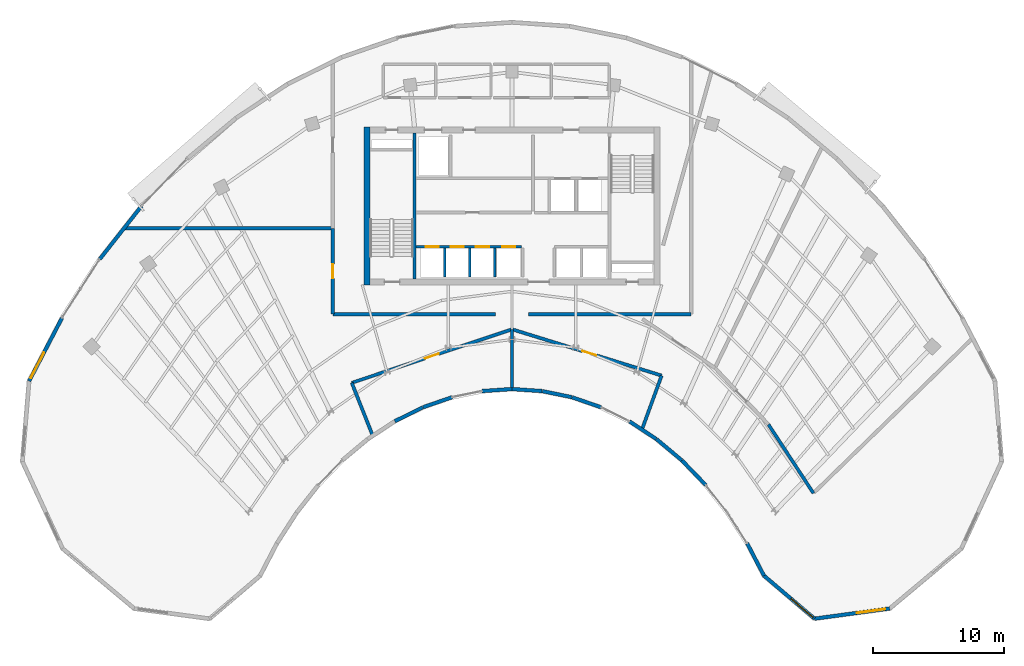
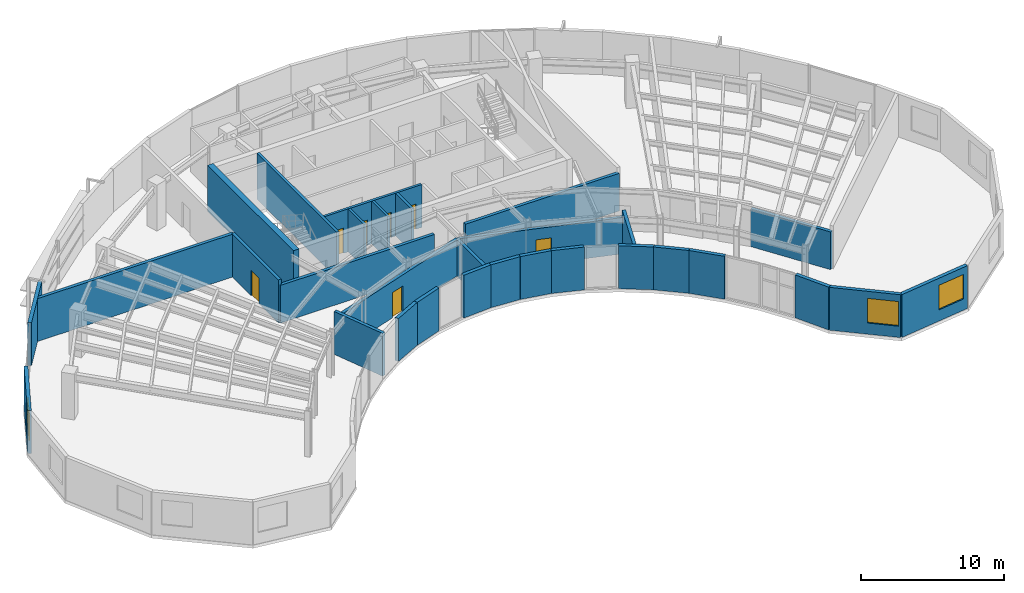
# One storey, part 8 of 13: 30 walls, 7 doors, 3 windows, 10 openings.
"""IFC4 building model written with IfcOpenShell, lengths in metres."""

from ifc_helpers import new_model, si_unit, direction, frame, frame_2d, origin, place, context, subcontext, project, spatial, rectangle, extrude, source, transform, mapped, material, layer, layer_set, type_object, type_shapes, element, fill, save


model = new_model("IFC4")

# Units and contexts
model_context = context("Model", 3, precision=1e-05, world=origin(), true_north=direction((0.0, 1.0)))
body_context = subcontext(model_context, "Body", "Model", "MODEL_VIEW")
ifc_project = project(units=[si_unit("LENGTHUNIT", "METRE"), si_unit("AREAUNIT", "SQUARE_METRE"), si_unit("VOLUMEUNIT", "CUBIC_METRE"), si_unit("PLANEANGLEUNIT", "RADIAN"), si_unit("MASSUNIT", "GRAM", prefix="KILO")], contexts=[model_context])

# Site, building, storey
site_placement = place(None, origin())
site = spatial("IfcSite", under=ifc_project, at=site_placement, CompositionType="ELEMENT")
building_placement = place(site_placement, origin())
building = spatial("IfcBuilding", under=site, at=building_placement, Name="Breltana Convention Tower", CompositionType="ELEMENT")
storey_placement = place(building_placement, frame((0.0, 0.0, 227.39990234375)))
storey = spatial("IfcBuildingStorey", under=building, at=storey_placement, Name="L55", CompositionType="ELEMENT", Elevation=227.39990234375)

# Walls
ifc_material_1 = material(Name="Concrete C60/75", Category="concrete")
ifc_layer_1 = layer(ifc_material_1, 0.449951171875, Name="Concrete C60/75")
ifc_layer_set_1 = layer_set([ifc_layer_1], Name="Concrete C60/75")
wall_type_1 = type_object("IfcWallType", Name="SW-CORE-450", PredefinedType="SHEAR", material=ifc_layer_set_1)
shared_shape_1 = source(origin(), body_context, "Body", "SweptSolid", [
    extrude(rectangle(XDim=12.0, YDim=0.449951171875, at=frame_2d((6.0, 0.0))), origin(), (0.0, 0.0, 1.0), 3.900146484375),
])
wall_1_placement = place(storey_placement, frame((36.97509765625, 60.199951171875, 0.0), z_axis=(0.0, 0.0, 1.0), x_axis=(0.0, 1.0, 0.0)))
element("IfcWall", 1, at=wall_1_placement, inside=storey, type_object=wall_type_1, Name="L55 West Core Shear Wall", PredefinedType="SHEAR", context=body_context, shape_type="MappedRepresentation", body=[
    mapped(shared_shape_1, transform((0.0, 0.0, 0.0), scale=1.0)),
])
ifc_material_2 = material(Name="Concrete C50/60", Category="concrete")
ifc_layer_2 = layer(ifc_material_2, 0.39990234375, Name="Concrete C50/60")
ifc_layer_set_2 = layer_set([ifc_layer_2], Name="Concrete C50/60")
wall_type_2 = type_object("IfcWallType", Name="SW-CORE-400", PredefinedType="SHEAR", material=ifc_layer_set_2)
shared_shape_2 = source(origin(), body_context, "Body", "SweptSolid", [
    extrude(rectangle(XDim=11.10009765625, YDim=0.219970703125, at=frame_2d((5.550048828125, 0.0))), origin(), (0.0, 0.0, 1.0), 3.900146484375),
])
wall_2_placement = place(storey_placement, frame((40.580078125, 60.64990234375, 0.0), z_axis=(0.0, 0.0, 1.0), x_axis=(0.0, 1.0, 0.0)))
element("IfcWall", 2, at=wall_2_placement, inside=storey, type_object=wall_type_2, Name="L55 Core West Stair Spine Wall", PredefinedType="SHEAR", context=body_context, shape_type="MappedRepresentation", body=[
    mapped(shared_shape_2, transform((0.0, 0.0, 0.0), scale=1.0)),
])

# Wall, opening, window
ifc_material_3 = material(Name="Limestone Buff Insulated Wall", Category="masonry")
ifc_layer_3 = layer(ifc_material_3, 0.280029296875, Name="Limestone Buff Insulated Wall")
ifc_layer_set_3 = layer_set([ifc_layer_3], Name="Limestone Buff Insulated Wall")
wall_type_3 = type_object("IfcWallType", Name="WL-EXT-NOSE-280", PredefinedType="SOLIDWALL", material=ifc_layer_set_3)
shared_shape_3 = source(origin(), body_context, "Body", "SweptSolid", [
    extrude(rectangle(XDim=5.771240234375, YDim=0.280029296875, at=frame_2d((2.8857421875, 0.0))), origin(), (0.0, 0.0, 1.0), 3.650146484375),
])
wall_3_placement = place(storey_placement, frame((76.74951171875, 35.559814453125, 0.0), z_axis=(0.0, 0.0, 1.0), x_axis=(-0.990933615537, -0.134352408237, 0.0)))
wall_3 = element("IfcWall", 3, at=wall_3_placement, inside=storey, type_object=wall_type_3, Name="L55 curved limestone nose wall E4", PredefinedType="SOLIDWALL", context=body_context, shape_type="MappedRepresentation", body=[
    mapped(shared_shape_3, transform((0.0, 0.0, 0.0), scale=1.0)),
])
opening_1_placement = place(wall_3_placement, frame((0.343017578125, 0.0, 0.949951171875)))
opening_1 = element("IfcOpeningElement", 4, at=opening_1_placement, cuts=wall_3, Name="Opening W-03", PredefinedType="OPENING", context=body_context, shape_type="SweptSolid", body=[
    extrude(rectangle(XDim=2.199951171875, YDim=2.10009765625, at=frame_2d((1.10009765625, 1.050048828125))), frame((0.0, 0.14990234375, 0.0), z_axis=(0.0, -1.0, 0.0), x_axis=(1.0, 0.0, 0.0)), (0.0, 0.0, 1.0), 0.300048828125),
])
ifc_material_4 = material(Name="Glass Low-E Insulated Window", Category="glass")
window_type = type_object("IfcWindowType", Name="WN-NOSE-2200X2100", PartitioningType="TRIPLE_PANEL_VERTICAL", PredefinedType="WINDOW", material=ifc_material_4)
shared_shape_4 = source(origin(), body_context, "Body", "SweptSolid", [
    extrude(rectangle(XDim=2.199951171875, YDim=2.10009765625, at=frame_2d((1.10009765625, 1.050048828125))), frame((0.0, 0.030029296875, 0.0), z_axis=(0.0, -1.0, 0.0), x_axis=(1.0, 0.0, 0.0)), (0.0, 0.0, 1.0), 0.06005859375),
])
type_shapes(window_type, [shared_shape_4])
window_1_placement = place(opening_1_placement, origin())
window_1 = element("IfcWindow", 5, at=window_1_placement, inside=storey, type_object=window_type, Name="L55 nose window E4", OverallHeight=2.10009765625, OverallWidth=2.199951171875, PartitioningType="TRIPLE_PANEL_VERTICAL", PredefinedType="WINDOW", context=body_context, shape_type="MappedRepresentation", body=[
    mapped(shared_shape_4, transform((0.0, 0.0, 0.0), scale=1.0)),
])
fill(opening_1, window_1)

shared_shape_5 = source(origin(), body_context, "Body", "SweptSolid", [
    extrude(rectangle(XDim=5.051025390625, YDim=0.280029296875, at=frame_2d((2.525390625, 0.0))), origin(), (0.0, 0.0, 1.0), 3.650146484375),
])
wall_4_placement = place(storey_placement, frame((71.030517578125, 34.784423828125, 0.0), z_axis=(0.0, 0.0, 1.0), x_axis=(-0.761904731537, 0.647689107568, 0.0)))
wall_4 = element("IfcWall", 6, at=wall_4_placement, inside=storey, type_object=wall_type_3, Name="L55 curved limestone nose wall E5", PredefinedType="SOLIDWALL", context=body_context, shape_type="MappedRepresentation", body=[
    mapped(shared_shape_5, transform((0.0, 0.0, 0.0), scale=1.0)),
])
opening_2_placement = place(wall_4_placement, frame((0.16259765625, 0.0, 0.949951171875)))
opening_2 = element("IfcOpeningElement", 7, at=opening_2_placement, cuts=wall_4, Name="Opening W-03", PredefinedType="OPENING", context=body_context, shape_type="SweptSolid", body=[
    extrude(rectangle(XDim=2.199951171875, YDim=2.10009765625, at=frame_2d((1.10009765625, 1.050048828125))), frame((0.0, 0.14990234375, 0.0), z_axis=(0.0, -1.0, 0.0), x_axis=(1.0, 0.0, 0.0)), (0.0, 0.0, 1.0), 0.300048828125),
])
window_2_placement = place(opening_2_placement, origin())
window_2 = element("IfcWindow", 8, at=window_2_placement, inside=storey, type_object=window_type, Name="L55 nose window E5", OverallHeight=2.10009765625, OverallWidth=2.199951171875, PartitioningType="TRIPLE_PANEL_VERTICAL", PredefinedType="WINDOW", context=body_context, shape_type="MappedRepresentation", body=[
    mapped(shared_shape_4, transform((0.0, 0.0, 0.0), scale=1.0)),
])
fill(opening_2, window_2)

# Walls
shared_shape_6 = source(origin(), body_context, "Body", "SweptSolid", [
    extrude(rectangle(XDim=2.779296875, YDim=0.280029296875, at=frame_2d((1.3896484375, 0.0))), origin(), (0.0, 0.0, 1.0), 3.650146484375),
])
wall_5_placement = place(storey_placement, frame((67.18212890625, 38.055908203125, 0.0), z_axis=(0.0, 0.0, 1.0), x_axis=(-0.461770308601, 0.886999538948, 0.0)))
element("IfcWall", 9, at=wall_5_placement, inside=storey, type_object=wall_type_3, Name="L55 curved limestone nose wall E6", PredefinedType="SOLIDWALL", context=body_context, shape_type="MappedRepresentation", body=[
    mapped(shared_shape_6, transform((0.0, 0.0, 0.0), scale=1.0)),
])
shared_shape_7 = source(origin(), body_context, "Body", "SweptSolid", [
    extrude(rectangle(XDim=2.587646484375, YDim=0.280029296875, at=frame_2d((1.2939453125, 0.0))), origin(), (0.0, 0.0, 1.0), 3.650146484375),
])
wall_6_placement = place(storey_placement, frame((62.739501953125, 44.96630859375, 0.0), z_axis=(0.0, 0.0, 1.0), x_axis=(-0.694687114507, 0.719312041424, 0.0)))
element("IfcWall", 10, at=wall_6_placement, inside=storey, type_object=wall_type_3, Name="L55 curved limestone nose wall E7", PredefinedType="SOLIDWALL", context=body_context, shape_type="MappedRepresentation", body=[
    mapped(shared_shape_7, transform((0.0, 0.0, 0.0), scale=1.0)),
])
shared_shape_8 = source(origin(), body_context, "Body", "SweptSolid", [
    extrude(rectangle(XDim=2.51123046875, YDim=0.280029296875, at=frame_2d((1.255615234375, 0.0))), origin(), (0.0, 0.0, 1.0), 3.650146484375),
])
wall_7_placement = place(storey_placement, frame((60.927734375, 46.8408203125, 0.0), z_axis=(0.0, 0.0, 1.0), x_axis=(-0.767910416122, 0.640557251782, 0.0)))
element("IfcWall", 11, at=wall_7_placement, inside=storey, type_object=wall_type_3, Name="L55 curved limestone nose wall E8", PredefinedType="SOLIDWALL", context=body_context, shape_type="MappedRepresentation", body=[
    mapped(shared_shape_8, transform((0.0, 0.0, 0.0), scale=1.0)),
])
shared_shape_9 = source(origin(), body_context, "Body", "SweptSolid", [
    extrude(rectangle(XDim=2.440185546875, YDim=0.280029296875, at=frame_2d((1.22021484375, 0.0))), origin(), (0.0, 0.0, 1.0), 3.650146484375),
])
wall_8_placement = place(storey_placement, frame((58.98291015625, 48.461669921875, 0.0), z_axis=(0.0, 0.0, 1.0), x_axis=(-0.83598480459, 0.548752591333, 0.0)))
element("IfcWall", 12, at=wall_8_placement, inside=storey, type_object=wall_type_3, Name="L55 curved limestone nose wall E9", PredefinedType="SOLIDWALL", context=body_context, shape_type="MappedRepresentation", body=[
    mapped(shared_shape_9, transform((0.0, 0.0, 0.0), scale=1.0)),
])
shared_shape_10 = source(origin(), body_context, "Body", "SweptSolid", [
    extrude(rectangle(XDim=2.327880859375, YDim=0.280029296875, at=frame_2d((1.1640625, 0.0))), origin(), (0.0, 0.0, 1.0), 3.650146484375),
])
for number, where, z_axis, x_axis, name in (
    (13, (54.7724609375, 50.87646484375, 0.0), (0.0, 0.0, 1.0), (-0.944872545641, 0.32743834915, 0.0), "L55 curved limestone nose wall E10"),
    (14, (43.427001953125, 51.638671875, 0.0), (0.0, 0.0, 1.0), (-0.944872545641, -0.32743834915, 0.0), "L55 curved limestone nose wall E14"),
):
    element("IfcWall", number, at=place(storey_placement, frame(where, z_axis=z_axis, x_axis=x_axis)), inside=storey, type_object=wall_type_3, Name=name, PredefinedType="SOLIDWALL", context=body_context, shape_type="MappedRepresentation", body=[
        mapped(shared_shape_10, transform((0.0, 0.0, 0.0), scale=1.0)),
    ])
shared_shape_11 = source(origin(), body_context, "Body", "SweptSolid", [
    extrude(rectangle(XDim=2.2919921875, YDim=0.280029296875, at=frame_2d((1.14599609375, 0.0))), origin(), (0.0, 0.0, 1.0), 3.650146484375),
])
wall_9_placement = place(storey_placement, frame((52.55029296875, 51.64501953125, 0.0), z_axis=(0.0, 0.0, 1.0), x_axis=(-0.979635482689, 0.200784264963, 0.0)))
element("IfcWall", 15, at=wall_9_placement, inside=storey, type_object=wall_type_3, Name="L55 curved limestone nose wall E11", PredefinedType="SOLIDWALL", context=body_context, shape_type="MappedRepresentation", body=[
    mapped(shared_shape_11, transform((0.0, 0.0, 0.0), scale=1.0)),
])
shared_shape_12 = source(origin(), body_context, "Body", "SweptSolid", [
    extrude(rectangle(XDim=2.27392578125, YDim=0.280029296875, at=frame_2d((1.136962890625, 0.0))), origin(), (0.0, 0.0, 1.0), 3.650146484375),
])
for number, where, z_axis, x_axis, name in (
    (16, (50.281005859375, 52.108642578125, 0.0), (0.0, 0.0, 1.0), (-0.997702696995, 0.067744582138, 0.0), "L55 curved limestone nose wall E12"),
    (17, (47.98779296875, 52.2626953125, 0.0), (0.0, 0.0, 1.0), (-0.997702696995, -0.067744582138, 0.0), "L55 curved limestone nose wall E13"),
):
    element("IfcWall", number, at=place(storey_placement, frame(where, z_axis=z_axis, x_axis=x_axis)), inside=storey, type_object=wall_type_3, Name=name, PredefinedType="SOLIDWALL", context=body_context, shape_type="MappedRepresentation", body=[
        mapped(shared_shape_12, transform((0.0, 0.0, 0.0), scale=1.0)),
    ])
shared_shape_13 = source(origin(), body_context, "Body", "SweptSolid", [
    extrude(rectangle(XDim=2.377685546875, YDim=0.280029296875, at=frame_2d((1.18896484375, 0.0))), origin(), (0.0, 0.0, 1.0), 3.650146484375),
])
wall_10_placement = place(storey_placement, frame((41.20654296875, 50.86767578125, 0.0), z_axis=(0.0, 0.0, 1.0), x_axis=(-0.895941616831, -0.444171835252, 0.0)))
element("IfcWall", 18, at=wall_10_placement, inside=storey, type_object=wall_type_3, Name="L55 curved limestone nose wall E15", PredefinedType="SOLIDWALL", context=body_context, shape_type="MappedRepresentation", body=[
    mapped(shared_shape_13, transform((0.0, 0.0, 0.0), scale=1.0)),
])

# Wall, opening, window
shared_shape_14 = source(origin(), body_context, "Body", "SweptSolid", [
    extrude(rectangle(XDim=5.41552734375, YDim=0.280029296875, at=frame_2d((2.707763671875, 0.0))), origin(), (0.0, 0.0, 1.0), 3.650146484375),
])
wall_11_placement = place(storey_placement, frame((11.243896484375, 52.87353515625, 0.0), z_axis=(0.0, 0.0, 1.0), x_axis=(0.46177852435, 0.886995261796, 0.0)))
wall_11 = element("IfcWall", 19, at=wall_11_placement, inside=storey, type_object=wall_type_3, Name="L55 curved limestone nose wall W7", PredefinedType="SOLIDWALL", context=body_context, shape_type="MappedRepresentation", body=[
    mapped(shared_shape_14, transform((0.0, 0.0, 0.0), scale=1.0)),
])
opening_3_placement = place(wall_11_placement, frame((0.25390625, 0.0, 0.949951171875)))
opening_3 = element("IfcOpeningElement", 20, at=opening_3_placement, cuts=wall_11, Name="Opening W-03", PredefinedType="OPENING", context=body_context, shape_type="SweptSolid", body=[
    extrude(rectangle(XDim=2.199951171875, YDim=2.10009765625, at=frame_2d((1.10009765625, 1.050048828125))), frame((0.0, 0.14990234375, 0.0), z_axis=(0.0, -1.0, 0.0), x_axis=(1.0, 0.0, 0.0)), (0.0, 0.0, 1.0), 0.300048828125),
])
window_3_placement = place(opening_3_placement, origin())
window_3 = element("IfcWindow", 21, at=window_3_placement, inside=storey, type_object=window_type, Name="L55 nose window W7", OverallHeight=2.10009765625, OverallWidth=2.199951171875, PartitioningType="TRIPLE_PANEL_VERTICAL", PredefinedType="WINDOW", context=body_context, shape_type="MappedRepresentation", body=[
    mapped(shared_shape_4, transform((0.0, 0.0, 0.0), scale=1.0)),
])
fill(opening_3, window_3)

# Wall
shared_shape_15 = source(origin(), body_context, "Body", "SweptSolid", [
    extrude(rectangle(XDim=5.153076171875, YDim=0.280029296875, at=frame_2d((2.57666015625, 0.0))), origin(), (0.0, 0.0, 1.0), 3.650146484375),
])
wall_12_placement = place(storey_placement, frame((16.609130859375, 62.1396484375, 0.0), z_axis=(0.0, 0.0, 1.0), x_axis=(0.618179283891, 0.786037132054, 0.0)))
element("IfcWall", 22, at=wall_12_placement, inside=storey, type_object=wall_type_3, Name="L55 curved limestone nose wall E20", PredefinedType="SOLIDWALL", context=body_context, shape_type="MappedRepresentation", body=[
    mapped(shared_shape_15, transform((0.0, 0.0, 0.0), scale=1.0)),
])

# Wall, openings, doors
ifc_material_5 = material(Name="Autoclaved Aerated Concrete Block", Category="concrete")
ifc_layer_4 = layer(ifc_material_5, 0.199951171875, Name="Autoclaved Aerated Concrete Block")
ifc_layer_set_4 = layer_set([ifc_layer_4], Name="Autoclaved Aerated Concrete Block")
wall_type_4 = type_object("IfcWallType", Name="WL-SHAFT-200", PredefinedType="SOLIDWALL", material=ifc_layer_set_4)
shared_shape_16 = source(origin(), body_context, "Body", "SweptSolid", [
    extrude(rectangle(XDim=8.02001953125, YDim=0.199951171875, at=frame_2d((4.010009765625, 0.0))), origin(), (0.0, 0.0, 1.0), 3.650146484375),
])
wall_13_placement = place(storey_placement, frame((40.699951171875, 63.10009765625, 0.0), z_axis=(0.0, 0.0, 1.0), x_axis=(1.0, 0.0, 0.0)))
wall_13 = element("IfcWall", 23, at=wall_13_placement, inside=storey, type_object=wall_type_4, Name="L55 interior partition W-L55-SH-S-FRONT", PredefinedType="SOLIDWALL", context=body_context, shape_type="MappedRepresentation", body=[
    mapped(shared_shape_16, transform((0.0, 0.0, 0.0), scale=1.0)),
])
opening_4_placement = place(wall_13_placement, frame((0.719970703125, 0.0, 0.0)))
opening_4 = element("IfcOpeningElement", 24, at=opening_4_placement, cuts=wall_13, Name="Opening LD-04", PredefinedType="OPENING", context=body_context, shape_type="SweptSolid", body=[
    extrude(rectangle(XDim=1.0, YDim=2.14990234375, at=frame_2d((0.5, 1.074951171875))), frame((0.0, 0.10986328125, 0.0), z_axis=(0.0, -1.0, 0.0), x_axis=(1.0, 0.0, 0.0)), (0.0, 0.0, 1.0), 0.219970703125),
])
opening_5_placement = place(wall_13_placement, frame((2.6201171875, 0.0, 0.0)))
opening_5 = element("IfcOpeningElement", 25, at=opening_5_placement, cuts=wall_13, Name="Opening LD-04", PredefinedType="OPENING", context=body_context, shape_type="SweptSolid", body=[
    extrude(rectangle(XDim=1.0, YDim=2.14990234375, at=frame_2d((0.5, 1.074951171875))), frame((0.0, 0.10986328125, 0.0), z_axis=(0.0, -1.0, 0.0), x_axis=(1.0, 0.0, 0.0)), (0.0, 0.0, 1.0), 0.219970703125),
])
opening_6_placement = place(wall_13_placement, frame((4.550048828125, 0.0, 0.0)))
opening_6 = element("IfcOpeningElement", 26, at=opening_6_placement, cuts=wall_13, Name="Opening LD-04", PredefinedType="OPENING", context=body_context, shape_type="SweptSolid", body=[
    extrude(rectangle(XDim=1.0, YDim=2.14990234375, at=frame_2d((0.5, 1.074951171875))), frame((0.0, 0.10986328125, 0.0), z_axis=(0.0, -1.0, 0.0), x_axis=(1.0, 0.0, 0.0)), (0.0, 0.0, 1.0), 0.219970703125),
])
opening_7_placement = place(wall_13_placement, frame((6.550048828125, 0.0, 0.0)))
opening_7 = element("IfcOpeningElement", 27, at=opening_7_placement, cuts=wall_13, Name="Opening LD-04", PredefinedType="OPENING", context=body_context, shape_type="SweptSolid", body=[
    extrude(rectangle(XDim=1.0, YDim=2.14990234375, at=frame_2d((0.5, 1.074951171875))), frame((0.0, 0.10986328125, 0.0), z_axis=(0.0, -1.0, 0.0), x_axis=(1.0, 0.0, 0.0)), (0.0, 0.0, 1.0), 0.219970703125),
])
ifc_material_6 = material(Name="Stainless Steel Brushed", Category="steel")
door_type_1 = type_object("IfcDoorType", Name="DR-LD-PAX-1000", OperationType="DOUBLE_DOOR_SLIDING", PredefinedType="DOOR", material=ifc_material_6)
shared_shape_17 = source(origin(), body_context, "Body", "SweptSolid", [
    extrude(rectangle(XDim=1.0, YDim=2.14990234375, at=frame_2d((0.5, 1.074951171875))), frame((0.0, 0.02490234375, 0.0), z_axis=(0.0, -1.0, 0.0), x_axis=(1.0, 0.0, 0.0)), (0.0, 0.0, 1.0), 0.050048828125),
])
type_shapes(door_type_1, [shared_shape_17])
door_1_placement = place(opening_4_placement, origin())
door_1 = element("IfcDoor", 28, at=door_1_placement, inside=storey, type_object=door_type_1, Name="L55 Lift Landing Door D-L55-LD-S1", OperationType="DOUBLE_DOOR_SLIDING", OverallHeight=2.14990234375, OverallWidth=1.0, PredefinedType="DOOR", context=body_context, shape_type="MappedRepresentation", body=[
    mapped(shared_shape_17, transform((0.0, 0.0, 0.0), scale=1.0)),
])
fill(opening_4, door_1)
door_2_placement = place(opening_5_placement, origin())
door_2 = element("IfcDoor", 29, at=door_2_placement, inside=storey, type_object=door_type_1, Name="L55 Lift Landing Door D-L55-LD-S2", OperationType="DOUBLE_DOOR_SLIDING", OverallHeight=2.14990234375, OverallWidth=1.0, PredefinedType="DOOR", context=body_context, shape_type="MappedRepresentation", body=[
    mapped(shared_shape_17, transform((0.0, 0.0, 0.0), scale=1.0)),
])
fill(opening_5, door_2)
door_3_placement = place(opening_6_placement, origin())
door_3 = element("IfcDoor", 30, at=door_3_placement, inside=storey, type_object=door_type_1, Name="L55 Lift Landing Door D-L55-LD-S3", OperationType="DOUBLE_DOOR_SLIDING", OverallHeight=2.14990234375, OverallWidth=1.0, PredefinedType="DOOR", context=body_context, shape_type="MappedRepresentation", body=[
    mapped(shared_shape_17, transform((0.0, 0.0, 0.0), scale=1.0)),
])
fill(opening_6, door_3)
door_4_placement = place(opening_7_placement, origin())
door_4 = element("IfcDoor", 31, at=door_4_placement, inside=storey, type_object=door_type_1, Name="L55 Lift Landing Door D-L55-LD-S4", OperationType="DOUBLE_DOOR_SLIDING", OverallHeight=2.14990234375, OverallWidth=1.0, PredefinedType="DOOR", context=body_context, shape_type="MappedRepresentation", body=[
    mapped(shared_shape_17, transform((0.0, 0.0, 0.0), scale=1.0)),
])
fill(opening_7, door_4)

# Walls
shared_shape_18 = source(origin(), body_context, "Body", "SweptSolid", [
    extrude(rectangle(XDim=2.199951171875, YDim=0.199951171875, at=frame_2d((1.10009765625, 0.0))), origin(), (0.0, 0.0, 1.0), 3.650146484375),
])
for number, where, z_axis, x_axis, name in (
    (32, (42.8701171875, 60.800048828125, 0.0), (0.0, 0.0, 1.0), (0.0, 1.0, 0.0), "L55 interior partition W-L55-SH-S-DIV1"),
    (33, (44.77001953125, 60.800048828125, 0.0), (0.0, 0.0, 1.0), (0.0, 1.0, 0.0), "L55 interior partition W-L55-SH-S-DIV2"),
    (34, (46.699951171875, 60.800048828125, 0.0), (0.0, 0.0, 1.0), (0.0, 1.0, 0.0), "L55 interior partition W-L55-SH-S-DIV3"),
):
    element("IfcWall", number, at=place(storey_placement, frame(where, z_axis=z_axis, x_axis=x_axis)), inside=storey, type_object=wall_type_4, Name=name, PredefinedType="SOLIDWALL", context=body_context, shape_type="MappedRepresentation", body=[
        mapped(shared_shape_18, transform((0.0, 0.0, 0.0), scale=1.0)),
    ])

# Wall, opening, door
ifc_material_7 = material(Name="Gypsum Acoustic Double Stud Wall")
ifc_layer_5 = layer(ifc_material_7, 0.25, Name="Gypsum Acoustic Double Stud Wall")
ifc_layer_set_5 = layer_set([ifc_layer_5], Name="Gypsum Acoustic Double Stud Wall")
wall_type_5 = type_object("IfcWallType", Name="WL-ACOUSTIC-250", PredefinedType="PARTITIONING", material=ifc_layer_set_5)
shared_shape_19 = source(origin(), body_context, "Body", "SweptSolid", [
    extrude(rectangle(XDim=12.859619140625, YDim=0.25, at=frame_2d((6.4296875, 0.0))), origin(), (0.0, 0.0, 1.0), 3.09521484375),
])
wall_14_placement = place(storey_placement, frame((35.802978515625, 52.73828125, 0.0), z_axis=(0.0, 0.0, 1.0), x_axis=(0.948466647997, 0.316876975554, 0.0)))
wall_14 = element("IfcWall", 35, at=wall_14_placement, inside=storey, type_object=wall_type_5, Name="L55 interior partition W-L55-ES1-COR", PredefinedType="PARTITIONING", context=body_context, shape_type="MappedRepresentation", body=[
    mapped(shared_shape_19, transform((0.0, 0.0, 0.0), scale=1.0)),
])
opening_8_placement = place(wall_14_placement, frame((5.8798828125, 0.0, 0.0)))
opening_8 = element("IfcOpeningElement", 36, at=opening_8_placement, cuts=wall_14, Name="Opening D-12", PredefinedType="OPENING", context=body_context, shape_type="SweptSolid", body=[
    extrude(rectangle(XDim=1.10009765625, YDim=2.14990234375, at=frame_2d((0.550048828125, 1.074951171875))), frame((0.0, 0.135009765625, 0.0), z_axis=(0.0, -1.0, 0.0), x_axis=(1.0, 0.0, 0.0)), (0.0, 0.0, 1.0), 0.27001953125),
])
ifc_material_8 = material(Name="Timber Oak Acoustic Door", Category="wood")
door_type_2 = type_object("IfcDoorType", Name="DR-INT-1100", OperationType="NOTDEFINED", PredefinedType="DOOR", material=ifc_material_8)
shared_shape_20 = source(origin(), body_context, "Body", "SweptSolid", [
    extrude(rectangle(XDim=1.10009765625, YDim=2.14990234375, at=frame_2d((0.550048828125, 1.074951171875))), frame((0.0, 0.02490234375, 0.0), z_axis=(0.0, -1.0, 0.0), x_axis=(1.0, 0.0, 0.0)), (0.0, 0.0, 1.0), 0.050048828125),
])
type_shapes(door_type_2, [shared_shape_20])
door_5_placement = place(opening_8_placement, origin())
door_5 = element("IfcDoor", 37, at=door_5_placement, inside=storey, type_object=door_type_2, Name="L55 interior door D-L55-ES1", OperationType="SINGLE_SWING_LEFT", OverallHeight=2.14990234375, OverallWidth=1.10009765625, PredefinedType="DOOR", context=body_context, shape_type="MappedRepresentation", body=[
    mapped(shared_shape_20, transform((0.0, 0.0, 0.0), scale=1.0)),
])
fill(opening_8, door_5)

# Walls
shared_shape_21 = source(origin(), body_context, "Body", "SweptSolid", [
    extrude(rectangle(XDim=4.3203125, YDim=0.25, at=frame_2d((2.16015625, 0.0))), origin(), (0.0, 0.0, 1.0), 3.650146484375),
])
wall_15_placement = place(storey_placement, frame((37.396484375, 48.72265625, 0.0), z_axis=(0.0, 0.0, 1.0), x_axis=(-0.368846295269, 0.929490403644, 0.0)))
element("IfcWall", 38, at=wall_15_placement, inside=storey, type_object=wall_type_5, Name="L55 interior partition W-L55-ES1-RA", PredefinedType="PARTITIONING", context=body_context, shape_type="MappedRepresentation", body=[
    mapped(shared_shape_21, transform((0.0, 0.0, 0.0), scale=1.0)),
])
shared_shape_22 = source(origin(), body_context, "Body", "SweptSolid", [
    extrude(rectangle(XDim=4.54052734375, YDim=0.25, at=frame_2d((2.270263671875, 0.0))), origin(), (0.0, 0.0, 1.0), 3.09521484375),
])
wall_16_placement = place(storey_placement, frame((48.0, 52.272705078125, 0.0), z_axis=(0.0, 0.0, 1.0), x_axis=(0.0, 1.0, 0.0)))
element("IfcWall", 39, at=wall_16_placement, inside=storey, type_object=wall_type_5, Name="L55 interior partition W-L55-ES1-RB", PredefinedType="PARTITIONING", context=body_context, shape_type="MappedRepresentation", body=[
    mapped(shared_shape_22, transform((0.0, 0.0, 0.0), scale=1.0)),
])

# Wall, opening, door
shared_shape_23 = source(origin(), body_context, "Body", "SweptSolid", [
    extrude(rectangle(XDim=11.92138671875, YDim=0.25, at=frame_2d((5.960693359375, 0.0))), origin(), (0.0, 0.0, 1.0), 3.09521484375),
])
wall_17_placement = place(storey_placement, frame((48.0, 56.813232421875, 0.0), z_axis=(0.0, 0.0, 1.0), x_axis=(0.955326235971, -0.295553350287, 0.0)))
wall_17 = element("IfcWall", 40, at=wall_17_placement, inside=storey, type_object=wall_type_5, Name="L55 interior partition W-L55-ES2-COR", PredefinedType="PARTITIONING", context=body_context, shape_type="MappedRepresentation", body=[
    mapped(shared_shape_23, transform((0.0, 0.0, 0.0), scale=1.0)),
])
opening_9_placement = place(wall_17_placement, frame((5.610595703125, 0.0, 0.0)))
opening_9 = element("IfcOpeningElement", 41, at=opening_9_placement, cuts=wall_17, Name="Opening D-12", PredefinedType="OPENING", context=body_context, shape_type="SweptSolid", body=[
    extrude(rectangle(XDim=1.10009765625, YDim=2.14990234375, at=frame_2d((0.550048828125, 1.074951171875))), frame((0.0, 0.135009765625, 0.0), z_axis=(0.0, -1.0, 0.0), x_axis=(1.0, 0.0, 0.0)), (0.0, 0.0, 1.0), 0.27001953125),
])
door_6_placement = place(opening_9_placement, origin())
door_6 = element("IfcDoor", 42, at=door_6_placement, inside=storey, type_object=door_type_2, Name="L55 interior door D-L55-ES2", OperationType="SINGLE_SWING_RIGHT", OverallHeight=2.14990234375, OverallWidth=1.10009765625, PredefinedType="DOOR", context=body_context, shape_type="MappedRepresentation", body=[
    mapped(shared_shape_20, transform((0.0, 0.0, 0.0), scale=1.0)),
])
fill(opening_9, door_6)

# Walls
shared_shape_24 = source(origin(), body_context, "Body", "SweptSolid", [
    extrude(rectangle(XDim=4.365966796875, YDim=0.25, at=frame_2d((2.18310546875, 0.0))), origin(), (0.0, 0.0, 1.0), 3.650146484375),
])
wall_18_placement = place(storey_placement, frame((57.8955078125, 49.187255859375, 0.0), z_axis=(0.0, 0.0, 1.0), x_axis=(0.342061827486, 0.939677447945, 0.0)))
element("IfcWall", 43, at=wall_18_placement, inside=storey, type_object=wall_type_5, Name="L55 interior partition W-L55-ES2-RB", PredefinedType="PARTITIONING", context=body_context, shape_type="MappedRepresentation", body=[
    mapped(shared_shape_24, transform((0.0, 0.0, 0.0), scale=1.0)),
])
shared_shape_25 = source(origin(), body_context, "Body", "SweptSolid", [
    extrude(rectangle(XDim=6.248779296875, YDim=0.25, at=frame_2d((3.12451171875, 0.0))), origin(), (0.0, 0.0, 1.0), 3.217041015625),
])
wall_19_placement = place(storey_placement, frame((67.521728515625, 49.56591796875, 0.0), z_axis=(0.0, 0.0, 1.0), x_axis=(0.547611432082, -0.836732764659, 0.0)))
element("IfcWall", 44, at=wall_19_placement, inside=storey, type_object=wall_type_5, Name="L55 interior partition W-L55-EXER2-COR2", PredefinedType="PARTITIONING", context=body_context, shape_type="MappedRepresentation", body=[
    mapped(shared_shape_25, transform((0.0, 0.0, 0.0), scale=1.0)),
])
shared_shape_26 = source(origin(), body_context, "Body", "SweptSolid", [
    extrude(rectangle(XDim=12.389892578125, YDim=0.25, at=frame_2d((6.19482421875, 0.0))), origin(), (0.0, 0.0, 1.0), 3.217041015625),
])
for number, where, z_axis, x_axis, name in (
    (45, (34.360107421875, 57.9599609375, 0.0), (0.0, 0.0, 1.0), (1.0, 0.0, 0.0), "L55 interior partition W-L55-Z45-CSW"),
    (46, (49.25, 57.9599609375, 0.0), (0.0, 0.0, 1.0), (1.0, 0.0, 0.0), "L55 interior partition W-L55-Z45-CSE"),
):
    element("IfcWall", number, at=place(storey_placement, frame(where, z_axis=z_axis, x_axis=x_axis)), inside=storey, type_object=wall_type_5, Name=name, PredefinedType="PARTITIONING", context=body_context, shape_type="MappedRepresentation", body=[
        mapped(shared_shape_26, transform((0.0, 0.0, 0.0), scale=1.0)),
    ])
shared_shape_27 = source(origin(), body_context, "Body", "SweptSolid", [
    extrude(rectangle(XDim=15.882080078125, YDim=0.25, at=frame_2d((7.94091796875, 0.0))), origin(), (0.0, 0.0, 1.0), 3.650146484375),
])
wall_20_placement = place(storey_placement, frame((18.47802734375, 64.5, 0.0), z_axis=(0.0, 0.0, 1.0), x_axis=(1.0, 0.0, 0.0)))
element("IfcWall", 47, at=wall_20_placement, inside=storey, type_object=wall_type_5, Name="L55 interior partition W-L55-EXW1-N", PredefinedType="PARTITIONING", context=body_context, shape_type="MappedRepresentation", body=[
    mapped(shared_shape_27, transform((0.0, 0.0, 0.0), scale=1.0)),
])

# Wall, opening, door
shared_shape_28 = source(origin(), body_context, "Body", "SweptSolid", [
    extrude(rectangle(XDim=6.5400390625, YDim=0.25, at=frame_2d((3.27001953125, 0.0))), origin(), (0.0, 0.0, 1.0), 3.650146484375),
])
wall_21_placement = place(storey_placement, frame((34.360107421875, 57.9599609375, 0.0), z_axis=(0.0, 0.0, 1.0), x_axis=(0.0, 1.0, 0.0)))
wall_21 = element("IfcWall", 48, at=wall_21_placement, inside=storey, type_object=wall_type_5, Name="L55 interior partition W-L55-EXW1-ENT", PredefinedType="PARTITIONING", context=body_context, shape_type="MappedRepresentation", body=[
    mapped(shared_shape_28, transform((0.0, 0.0, 0.0), scale=1.0)),
])
opening_10_placement = place(wall_21_placement, frame((2.719970703125, 0.0, 0.0)))
opening_10 = element("IfcOpeningElement", 49, at=opening_10_placement, cuts=wall_21, Name="Opening D-12", PredefinedType="OPENING", context=body_context, shape_type="SweptSolid", body=[
    extrude(rectangle(XDim=1.10009765625, YDim=2.14990234375, at=frame_2d((0.550048828125, 1.074951171875))), frame((0.0, 0.135009765625, 0.0), z_axis=(0.0, -1.0, 0.0), x_axis=(1.0, 0.0, 0.0)), (0.0, 0.0, 1.0), 0.27001953125),
])
door_7_placement = place(opening_10_placement, origin())
door_7 = element("IfcDoor", 50, at=door_7_placement, inside=storey, type_object=door_type_2, Name="L55 interior door D-L55-EXW1", OperationType="SINGLE_SWING_LEFT", OverallHeight=2.14990234375, OverallWidth=1.10009765625, PredefinedType="DOOR", context=body_context, shape_type="MappedRepresentation", body=[
    mapped(shared_shape_20, transform((0.0, 0.0, 0.0), scale=1.0)),
])
fill(opening_10, door_7)

save(model, "model.ifc")
